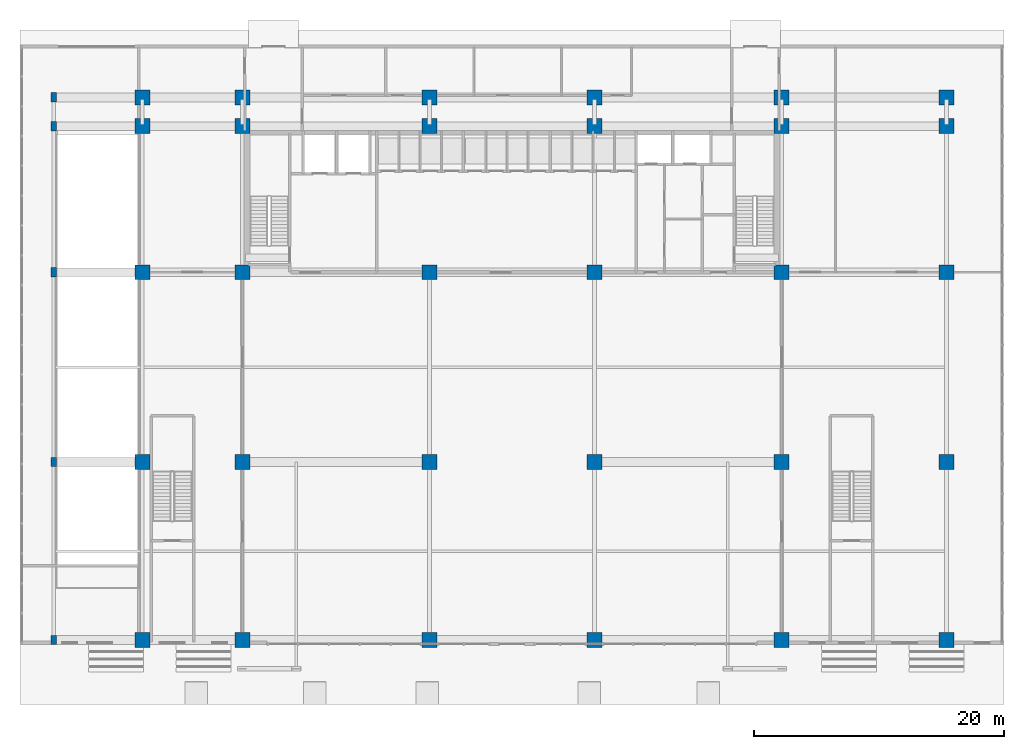
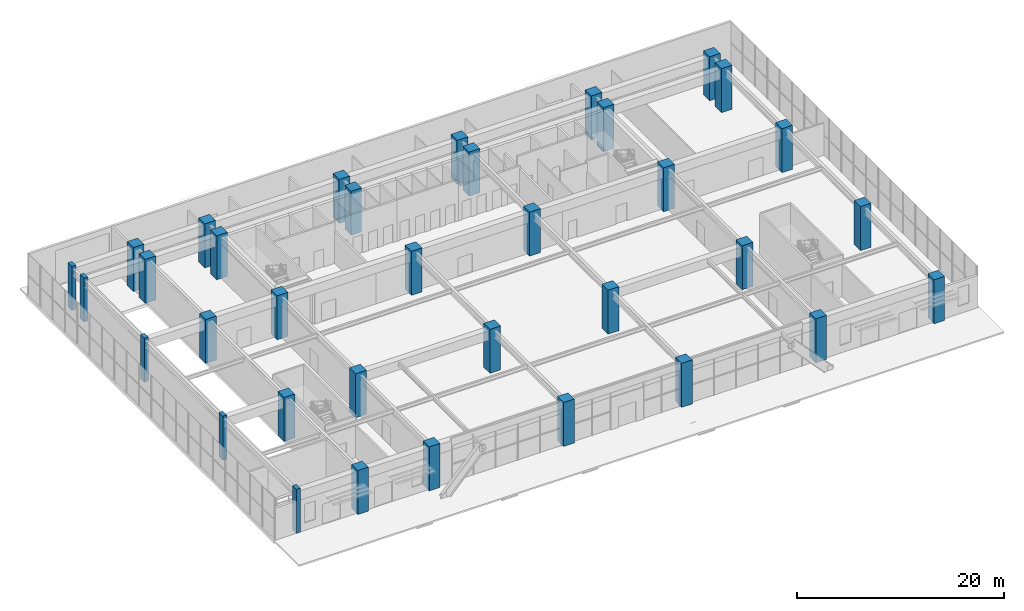
# One storey, part 1 of 40: 35 columns.
"""IFC4 building model written with IfcOpenShell, lengths in metres."""

from ifc_helpers import new_model, si_unit, direction, frame, origin, origin_2d, place, context, subcontext, project, spatial, rectangle, extrude, source, transform, mapped, material, material_profile, profile_set, type_object, element, save


model = new_model("IFC4")

# Units and contexts
model_context = context("Model", 3, precision=1e-05, world=origin(), true_north=direction((0.0, 1.0)))
body_context = subcontext(model_context, "Body", "Model", "MODEL_VIEW")
ifc_project = project(units=[si_unit("LENGTHUNIT", "METRE"), si_unit("AREAUNIT", "SQUARE_METRE"), si_unit("VOLUMEUNIT", "CUBIC_METRE"), si_unit("PLANEANGLEUNIT", "RADIAN"), si_unit("MASSUNIT", "GRAM", prefix="KILO")], contexts=[model_context])

# Site, building, storey
site_placement = place(None, origin())
site = spatial("IfcSite", under=ifc_project, at=site_placement, CompositionType="ELEMENT")
building_placement = place(site_placement, origin())
building = spatial("IfcBuilding", under=site, at=building_placement, Name="Trelvane Seafront Commons", CompositionType="ELEMENT")
storey_placement = place(building_placement, origin())
storey = spatial("IfcBuildingStorey", under=building, at=storey_placement, Name="L00", CompositionType="ELEMENT", Elevation=0.0)

# Columns
ifc_material_1 = material(Name="Concrete C50/60", Category="concrete")
ifc_material_profile_1 = material_profile(ifc_material_1, rectangle(XDim=0.449951171875, YDim=0.75, at=origin_2d()), Name="RC-450x750")
ifc_profile_set_1 = profile_set([ifc_material_profile_1], Name="Concrete C50/60")
column_type_1 = type_object("IfcColumnType", Name="STR-PIL-RC450x750", PredefinedType="PILASTER", material=ifc_profile_set_1)
shared_shape_1 = source(origin(), body_context, "Body", "SweptSolid", [
    extrude(rectangle(XDim=0.449951171875, YDim=0.75, at=origin_2d()), origin(), (0.0, 0.0, 1.0), 5.199951171875),
])
for number, where, z_axis, x_axis, name in (
    (1, (0.5, 3.949951171875, 0.0), (0.0, 0.0, 1.0), (1.0, 0.0, 0.0), "L00 Column PC-1-1"),
    (2, (0.5, 18.199951171875, 0.0), (0.0, 0.0, 1.0), (1.0, 0.0, 0.0), "L00 Column PC-1-2"),
    (3, (0.5, 33.39990234375, 0.0), (0.0, 0.0, 1.0), (1.0, 0.0, 0.0), "L00 Column PC-1-3"),
    (4, (0.5, 45.10009765625, 0.0), (0.0, 0.0, 1.0), (1.0, 0.0, 0.0), "L00 Column PC-1-4"),
    (5, (0.5, 47.39990234375, 0.0), (0.0, 0.0, 1.0), (1.0, 0.0, 0.0), "L00 Column PC-1-5"),
):
    element("IfcColumn", number, at=place(storey_placement, frame(where, z_axis=z_axis, x_axis=x_axis)), inside=storey, type_object=column_type_1, Name=name, PredefinedType="PILASTER", context=body_context, shape_type="MappedRepresentation", body=[
        mapped(shared_shape_1, transform((0.0, 0.0, 0.0), x_axis=(1.0, 0.0, 0.0), y_axis=(0.0, 1.0, 0.0), z_axis=(0.0, 0.0, 1.0), scale=1.0)),
    ])
ifc_material_2 = material(Name="Concrete C60/75", Category="concrete")
ifc_material_profile_2 = material_profile(ifc_material_2, rectangle(XDim=1.199951171875, YDim=1.199951171875, at=origin_2d()), Name="RC-1200x1200")
ifc_profile_set_2 = profile_set([ifc_material_profile_2], Name="Concrete C60/75")
column_type_2 = type_object("IfcColumnType", Name="STR-COL-RC1200", PredefinedType="COLUMN", material=ifc_profile_set_2)
shared_shape_2 = source(origin(), body_context, "Body", "SweptSolid", [
    extrude(rectangle(XDim=1.199951171875, YDim=1.199951171875, at=origin_2d()), origin(), (0.0, 0.0, 1.0), 5.199951171875),
])
for number, where, z_axis, x_axis, name in (
    (6, (7.60009765625, 3.949951171875, 0.0), (0.0, 0.0, 1.0), (1.0, 0.0, 0.0), "L00 Column PC-2-1"),
    (7, (7.60009765625, 18.199951171875, 0.0), (0.0, 0.0, 1.0), (1.0, 0.0, 0.0), "L00 Column PC-2-2"),
    (8, (7.60009765625, 33.39990234375, 0.0), (0.0, 0.0, 1.0), (1.0, 0.0, 0.0), "L00 Column PC-2-3"),
    (9, (7.60009765625, 45.10009765625, 0.0), (0.0, 0.0, 1.0), (1.0, 0.0, 0.0), "L00 Column PC-2-4"),
    (10, (7.60009765625, 47.39990234375, 0.0), (0.0, 0.0, 1.0), (1.0, 0.0, 0.0), "L00 Column PC-2-5"),
    (11, (15.60009765625, 3.949951171875, 0.0), (0.0, 0.0, 1.0), (1.0, 0.0, 0.0), "L00 Column PC-3-1"),
    (12, (15.60009765625, 18.199951171875, 0.0), (0.0, 0.0, 1.0), (1.0, 0.0, 0.0), "L00 Column PC-3-2"),
    (13, (15.60009765625, 33.39990234375, 0.0), (0.0, 0.0, 1.0), (1.0, 0.0, 0.0), "L00 Column PC-3-3"),
    (14, (15.60009765625, 45.10009765625, 0.0), (0.0, 0.0, 1.0), (1.0, 0.0, 0.0), "L00 Column PC-3-4"),
    (15, (15.60009765625, 47.39990234375, 0.0), (0.0, 0.0, 1.0), (1.0, 0.0, 0.0), "L00 Column PC-3-5"),
    (16, (30.60009765625, 3.949951171875, 0.0), (0.0, 0.0, 1.0), (1.0, 0.0, 0.0), "L00 Column PC-4-1"),
    (17, (30.60009765625, 18.199951171875, 0.0), (0.0, 0.0, 1.0), (1.0, 0.0, 0.0), "L00 Column PC-4-2"),
    (18, (30.60009765625, 33.39990234375, 0.0), (0.0, 0.0, 1.0), (1.0, 0.0, 0.0), "L00 Column PC-4-3"),
    (19, (30.60009765625, 45.10009765625, 0.0), (0.0, 0.0, 1.0), (1.0, 0.0, 0.0), "L00 Column PC-4-4"),
    (20, (30.60009765625, 47.39990234375, 0.0), (0.0, 0.0, 1.0), (1.0, 0.0, 0.0), "L00 Column PC-4-5"),
    (21, (43.800048828125, 3.949951171875, 0.0), (0.0, 0.0, 1.0), (1.0, 0.0, 0.0), "L00 Column PC-5-1"),
    (22, (43.800048828125, 18.199951171875, 0.0), (0.0, 0.0, 1.0), (1.0, 0.0, 0.0), "L00 Column PC-5-2"),
    (23, (43.800048828125, 33.39990234375, 0.0), (0.0, 0.0, 1.0), (1.0, 0.0, 0.0), "L00 Column PC-5-3"),
    (24, (43.800048828125, 45.10009765625, 0.0), (0.0, 0.0, 1.0), (1.0, 0.0, 0.0), "L00 Column PC-5-4"),
    (25, (43.800048828125, 47.39990234375, 0.0), (0.0, 0.0, 1.0), (1.0, 0.0, 0.0), "L00 Column PC-5-5"),
    (26, (58.800048828125, 3.949951171875, 0.0), (0.0, 0.0, 1.0), (1.0, 0.0, 0.0), "L00 Column PC-6-1"),
    (27, (58.800048828125, 18.199951171875, 0.0), (0.0, 0.0, 1.0), (1.0, 0.0, 0.0), "L00 Column PC-6-2"),
    (28, (58.800048828125, 33.39990234375, 0.0), (0.0, 0.0, 1.0), (1.0, 0.0, 0.0), "L00 Column PC-6-3"),
    (29, (58.800048828125, 45.10009765625, 0.0), (0.0, 0.0, 1.0), (1.0, 0.0, 0.0), "L00 Column PC-6-4"),
    (30, (58.800048828125, 47.39990234375, 0.0), (0.0, 0.0, 1.0), (1.0, 0.0, 0.0), "L00 Column PC-6-5"),
    (31, (72.0, 3.949951171875, 0.0), (0.0, 0.0, 1.0), (1.0, 0.0, 0.0), "L00 Column PC-7-1"),
    (32, (72.0, 18.199951171875, 0.0), (0.0, 0.0, 1.0), (1.0, 0.0, 0.0), "L00 Column PC-7-2"),
    (33, (72.0, 33.39990234375, 0.0), (0.0, 0.0, 1.0), (1.0, 0.0, 0.0), "L00 Column PC-7-3"),
    (34, (72.0, 45.10009765625, 0.0), (0.0, 0.0, 1.0), (1.0, 0.0, 0.0), "L00 Column PC-7-4"),
    (35, (72.0, 47.39990234375, 0.0), (0.0, 0.0, 1.0), (1.0, 0.0, 0.0), "L00 Column PC-7-5"),
):
    element("IfcColumn", number, at=place(storey_placement, frame(where, z_axis=z_axis, x_axis=x_axis)), inside=storey, type_object=column_type_2, Name=name, PredefinedType="COLUMN", context=body_context, shape_type="MappedRepresentation", body=[
        mapped(shared_shape_2, transform((0.0, 0.0, 0.0), x_axis=(1.0, 0.0, 0.0), y_axis=(0.0, 1.0, 0.0), z_axis=(0.0, 0.0, 1.0), scale=1.0)),
    ])

save(model, "model.ifc")
